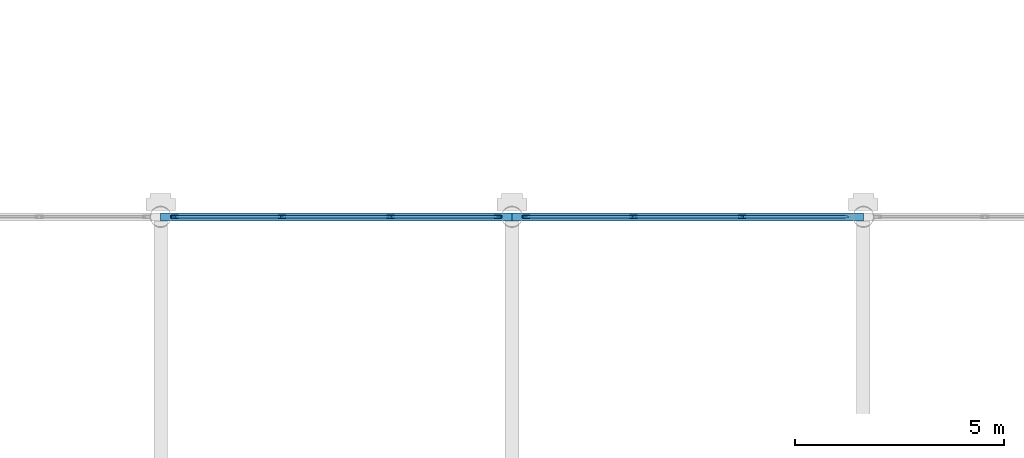
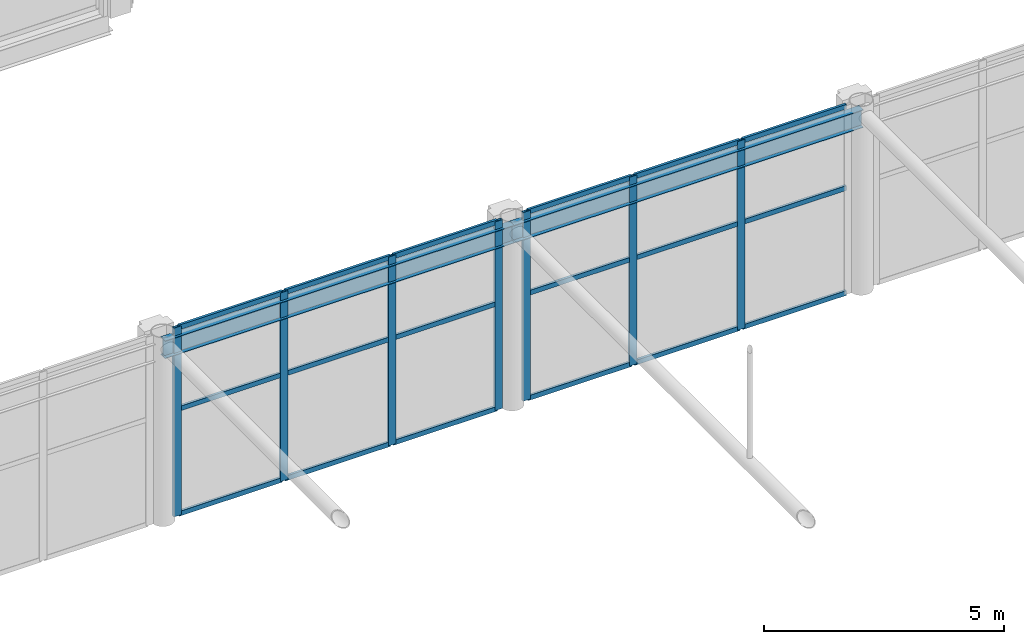
# One storey, part 85 of 167: 25 members, 2 beams, 2 elements without a shape of their own.
"""IFC4 building model written with IfcOpenShell, lengths in metres."""

from ifc_helpers import new_model, si_unit, direction, frame, origin, origin_2d, place, context, subcontext, project, spatial, hollow_rectangle, i_section, extrude, material, material_profile, profile_set, type_object, element, aggregate, save


model = new_model("IFC4")

# Units and contexts
model_context = context("Model", 3, precision=1e-05, world=origin(), true_north=direction((0.0, 1.0)))
body_context = subcontext(model_context, "Body", "Model", "MODEL_VIEW")
ifc_project = project(units=[si_unit("LENGTHUNIT", "METRE"), si_unit("AREAUNIT", "SQUARE_METRE"), si_unit("VOLUMEUNIT", "CUBIC_METRE"), si_unit("PLANEANGLEUNIT", "RADIAN"), si_unit("MASSUNIT", "GRAM", prefix="KILO")], contexts=[model_context])

# Site, building, storey
site_placement = place(None, origin())
site = spatial("IfcSite", under=ifc_project, at=site_placement, CompositionType="ELEMENT")
building_placement = place(site_placement, origin())
building = spatial("IfcBuilding", under=site, at=building_placement, Name="Catenary Quay Ferry Terminal", CompositionType="ELEMENT")
storey_placement = place(building_placement, frame((0.0, 0.0, 6.0)))
storey = spatial("IfcBuildingStorey", under=building, at=storey_placement, Name="L01", CompositionType="ELEMENT", Elevation=6.0)

# Beams
ifc_material_1 = material(Name="Steel S355", Category="steel")
ifc_material_profile_1 = material_profile(ifc_material_1, i_section(OverallWidth=0.18994140625, OverallDepth=0.453369140625, WebThickness=0.008544921875, FlangeThickness=0.0126953125, at=origin_2d()), Name="UB 457x191x67")
ifc_profile_set_1 = profile_set([ifc_material_profile_1], Name="Steel S355")
beam_type = type_object("IfcBeamType", Name="B1 UB 457x191x67", PredefinedType="BEAM", material=ifc_profile_set_1)
beam_1_placement = place(storey_placement, frame((58.800048828125, 142.800048828125, 4.373046875), z_axis=(1.0, 0.0, 0.0), x_axis=(0.0, 1.0, 0.0)))
element("IfcBeam", 1, at=beam_1_placement, inside=storey, type_object=beam_type, Name="Beam B1-029", PredefinedType="BEAM", context=body_context, shape_type="SweptSolid", body=[
    extrude(i_section(OverallWidth=0.18994140625, OverallDepth=0.453369140625, WebThickness=0.008544921875, FlangeThickness=0.0126953125, at=origin_2d()), origin(), (0.0, 0.0, 1.0), 8.39990234375),
])
beam_2_placement = place(storey_placement, frame((67.199951171875, 142.800048828125, 4.373046875), z_axis=(1.0, 0.0, 0.0), x_axis=(0.0, 1.0, 0.0)))
element("IfcBeam", 2, at=beam_2_placement, inside=storey, type_object=beam_type, Name="Beam B1-030", PredefinedType="BEAM", context=body_context, shape_type="SweptSolid", body=[
    extrude(i_section(OverallWidth=0.18994140625, OverallDepth=0.453369140625, WebThickness=0.008544921875, FlangeThickness=0.0126953125, at=origin_2d()), origin(), (0.0, 0.0, 1.0), 8.400146484375),
])

# Curtain wall, members
ifc_material_2 = material(Name="Aluminium and glass", Category="aluminium")
curtain_wall_type = type_object("IfcCurtainWallType", Name="CWH", PredefinedType="NOTDEFINED", material=ifc_material_2)
curtain_wall_1_placement = place(storey_placement, origin())
curtain_wall_1 = element("IfcCurtainWall", 3, at=curtain_wall_1_placement, inside=storey, type_object=curtain_wall_type, Name="Hall curtain wall CW52", PredefinedType="NOTDEFINED")
ifc_material_3 = material(Name="Aluminium", Category="aluminium")
ifc_material_profile_2 = material_profile(ifc_material_3, hollow_rectangle(XDim=0.070068359375, YDim=0.179931640625, WallThickness=0.006103515625, at=origin_2d()), Name="MU3")
ifc_profile_set_2 = profile_set([ifc_material_profile_2], Name="Aluminium")
member_type_1 = type_object("IfcMemberType", Name="MU3", PredefinedType="MULLION", material=ifc_profile_set_2)
member_1_placement = place(storey_placement, frame((59.135009765625, 142.800048828125, 0.0), z_axis=(0.0, 0.0, 1.0), x_axis=(0.0, 1.0, 0.0)))
member_1 = element("IfcMember", 4, at=member_1_placement, type_object=member_type_1, Name="CW52 mullion 1", PredefinedType="MULLION", context=body_context, shape_type="SweptSolid", body=[
    extrude(hollow_rectangle(XDim=0.070068359375, YDim=0.179931640625, WallThickness=0.006103515625, at=origin_2d()), origin(), (0.0, 0.0, 1.0), 4.800048828125),
])
member_2_placement = place(storey_placement, frame((61.699951171875, 142.800048828125, 0.0), z_axis=(0.0, 0.0, 1.0), x_axis=(0.0, 1.0, 0.0)))
member_2 = element("IfcMember", 5, at=member_2_placement, type_object=member_type_1, Name="CW52 mullion 2", PredefinedType="MULLION", context=body_context, shape_type="SweptSolid", body=[
    extrude(hollow_rectangle(XDim=0.070068359375, YDim=0.179931640625, WallThickness=0.006103515625, at=origin_2d()), origin(), (0.0, 0.0, 1.0), 4.800048828125),
])
member_3_placement = place(storey_placement, frame((64.300048828125, 142.800048828125, 0.0), z_axis=(0.0, 0.0, 1.0), x_axis=(0.0, 1.0, 0.0)))
member_3 = element("IfcMember", 6, at=member_3_placement, type_object=member_type_1, Name="CW52 mullion 3", PredefinedType="MULLION", context=body_context, shape_type="SweptSolid", body=[
    extrude(hollow_rectangle(XDim=0.070068359375, YDim=0.179931640625, WallThickness=0.006103515625, at=origin_2d()), origin(), (0.0, 0.0, 1.0), 4.800048828125),
])
member_4_placement = place(storey_placement, frame((66.864990234375, 142.800048828125, 0.0), z_axis=(0.0, 0.0, 1.0), x_axis=(0.0, 1.0, 0.0)))
member_4 = element("IfcMember", 7, at=member_4_placement, type_object=member_type_1, Name="CW52 mullion 4", PredefinedType="MULLION", context=body_context, shape_type="SweptSolid", body=[
    extrude(hollow_rectangle(XDim=0.070068359375, YDim=0.179931640625, WallThickness=0.006103515625, at=origin_2d()), origin(), (0.0, 0.0, 1.0), 4.800048828125),
])

curtain_wall_2_placement = place(storey_placement, origin())
curtain_wall_2 = element("IfcCurtainWall", 8, at=curtain_wall_2_placement, inside=storey, type_object=curtain_wall_type, Name="Hall curtain wall CW53", PredefinedType="NOTDEFINED")
member_5_placement = place(storey_placement, frame((67.534912109375, 142.800048828125, 0.0), z_axis=(0.0, 0.0, 1.0), x_axis=(0.0, 1.0, 0.0)))
member_5 = element("IfcMember", 9, at=member_5_placement, type_object=member_type_1, Name="CW53 mullion 1", PredefinedType="MULLION", context=body_context, shape_type="SweptSolid", body=[
    extrude(hollow_rectangle(XDim=0.070068359375, YDim=0.179931640625, WallThickness=0.006103515625, at=origin_2d()), origin(), (0.0, 0.0, 1.0), 4.800048828125),
])
member_6_placement = place(storey_placement, frame((70.10009765625, 142.800048828125, 0.0), z_axis=(0.0, 0.0, 1.0), x_axis=(0.0, 1.0, 0.0)))
member_6 = element("IfcMember", 10, at=member_6_placement, type_object=member_type_1, Name="CW53 mullion 2", PredefinedType="MULLION", context=body_context, shape_type="SweptSolid", body=[
    extrude(hollow_rectangle(XDim=0.070068359375, YDim=0.179931640625, WallThickness=0.006103515625, at=origin_2d()), origin(), (0.0, 0.0, 1.0), 4.800048828125),
])
member_7_placement = place(storey_placement, frame((72.699951171875, 142.800048828125, 0.0), z_axis=(0.0, 0.0, 1.0), x_axis=(0.0, 1.0, 0.0)))
member_7 = element("IfcMember", 11, at=member_7_placement, type_object=member_type_1, Name="CW53 mullion 3", PredefinedType="MULLION", context=body_context, shape_type="SweptSolid", body=[
    extrude(hollow_rectangle(XDim=0.070068359375, YDim=0.179931640625, WallThickness=0.006103515625, at=origin_2d()), origin(), (0.0, 0.0, 1.0), 4.800048828125),
])

# Member
ifc_material_4 = material(Name="Aluminium", Category="aluminium")
ifc_material_profile_3 = material_profile(ifc_material_4, hollow_rectangle(XDim=0.06005859375, YDim=0.1201171875, WallThickness=0.0048828125, at=origin_2d()), Name="TR3")
ifc_profile_set_3 = profile_set([ifc_material_profile_3], Name="Aluminium")
member_type_2 = type_object("IfcMemberType", Name="TR3", PredefinedType="USERDEFINED", material=ifc_profile_set_3)
member_8_placement = place(storey_placement, frame((59.169921875, 142.800048828125, 0.030029296875), z_axis=(1.0, 0.0, 0.0), x_axis=(0.0, 1.0, 0.0)))
member_8 = element("IfcMember", 12, at=member_8_placement, type_object=member_type_2, Name="CW52 transom 1.1", ObjectType="TRANSOM", PredefinedType="USERDEFINED", context=body_context, shape_type="SweptSolid", body=[
    extrude(hollow_rectangle(XDim=0.06005859375, YDim=0.1201171875, WallThickness=0.0048828125, at=origin_2d()), origin(), (0.0, 0.0, 1.0), 2.4951171875),
])

member_9_placement = place(storey_placement, frame((59.169921875, 142.800048828125, 2.699951171875), z_axis=(1.0, 0.0, 0.0), x_axis=(0.0, 1.0, 0.0)))
member_9 = element("IfcMember", 13, at=member_9_placement, type_object=member_type_2, Name="CW52 transom 1.2", ObjectType="TRANSOM", PredefinedType="USERDEFINED", context=body_context, shape_type="SweptSolid", body=[
    extrude(hollow_rectangle(XDim=0.06005859375, YDim=0.1201171875, WallThickness=0.0048828125, at=origin_2d()), origin(), (0.0, 0.0, 1.0), 2.4951171875),
])

member_10_placement = place(storey_placement, frame((59.169921875, 142.800048828125, 4.77001953125), z_axis=(1.0, 0.0, 0.0), x_axis=(0.0, 1.0, 0.0)))
member_10 = element("IfcMember", 14, at=member_10_placement, type_object=member_type_2, Name="CW52 transom 1.3", ObjectType="TRANSOM", PredefinedType="USERDEFINED", context=body_context, shape_type="SweptSolid", body=[
    extrude(hollow_rectangle(XDim=0.06005859375, YDim=0.1201171875, WallThickness=0.0048828125, at=origin_2d()), origin(), (0.0, 0.0, 1.0), 2.4951171875),
])

member_11_placement = place(storey_placement, frame((61.735107421875, 142.800048828125, 0.030029296875), z_axis=(1.0, 0.0, 0.0), x_axis=(0.0, 1.0, 0.0)))
member_11 = element("IfcMember", 15, at=member_11_placement, type_object=member_type_2, Name="CW52 transom 2.1", ObjectType="TRANSOM", PredefinedType="USERDEFINED", context=body_context, shape_type="SweptSolid", body=[
    extrude(hollow_rectangle(XDim=0.06005859375, YDim=0.1201171875, WallThickness=0.0048828125, at=origin_2d()), origin(), (0.0, 0.0, 1.0), 2.52978515625),
])

member_12_placement = place(storey_placement, frame((61.735107421875, 142.800048828125, 2.699951171875), z_axis=(1.0, 0.0, 0.0), x_axis=(0.0, 1.0, 0.0)))
member_12 = element("IfcMember", 16, at=member_12_placement, type_object=member_type_2, Name="CW52 transom 2.2", ObjectType="TRANSOM", PredefinedType="USERDEFINED", context=body_context, shape_type="SweptSolid", body=[
    extrude(hollow_rectangle(XDim=0.06005859375, YDim=0.1201171875, WallThickness=0.0048828125, at=origin_2d()), origin(), (0.0, 0.0, 1.0), 2.52978515625),
])

member_13_placement = place(storey_placement, frame((61.735107421875, 142.800048828125, 4.77001953125), z_axis=(1.0, 0.0, 0.0), x_axis=(0.0, 1.0, 0.0)))
member_13 = element("IfcMember", 17, at=member_13_placement, type_object=member_type_2, Name="CW52 transom 2.3", ObjectType="TRANSOM", PredefinedType="USERDEFINED", context=body_context, shape_type="SweptSolid", body=[
    extrude(hollow_rectangle(XDim=0.06005859375, YDim=0.1201171875, WallThickness=0.0048828125, at=origin_2d()), origin(), (0.0, 0.0, 1.0), 2.52978515625),
])

member_14_placement = place(storey_placement, frame((64.3349609375, 142.800048828125, 0.030029296875), z_axis=(1.0, 0.0, 0.0), x_axis=(0.0, 1.0, 0.0)))
member_14 = element("IfcMember", 18, at=member_14_placement, type_object=member_type_2, Name="CW52 transom 3.1", ObjectType="TRANSOM", PredefinedType="USERDEFINED", context=body_context, shape_type="SweptSolid", body=[
    extrude(hollow_rectangle(XDim=0.06005859375, YDim=0.1201171875, WallThickness=0.0048828125, at=origin_2d()), origin(), (0.0, 0.0, 1.0), 2.4951171875),
])

member_15_placement = place(storey_placement, frame((64.3349609375, 142.800048828125, 2.699951171875), z_axis=(1.0, 0.0, 0.0), x_axis=(0.0, 1.0, 0.0)))
member_15 = element("IfcMember", 19, at=member_15_placement, type_object=member_type_2, Name="CW52 transom 3.2", ObjectType="TRANSOM", PredefinedType="USERDEFINED", context=body_context, shape_type="SweptSolid", body=[
    extrude(hollow_rectangle(XDim=0.06005859375, YDim=0.1201171875, WallThickness=0.0048828125, at=origin_2d()), origin(), (0.0, 0.0, 1.0), 2.4951171875),
])

member_16_placement = place(storey_placement, frame((64.3349609375, 142.800048828125, 4.77001953125), z_axis=(1.0, 0.0, 0.0), x_axis=(0.0, 1.0, 0.0)))
member_16 = element("IfcMember", 20, at=member_16_placement, type_object=member_type_2, Name="CW52 transom 3.3", ObjectType="TRANSOM", PredefinedType="USERDEFINED", context=body_context, shape_type="SweptSolid", body=[
    extrude(hollow_rectangle(XDim=0.06005859375, YDim=0.1201171875, WallThickness=0.0048828125, at=origin_2d()), origin(), (0.0, 0.0, 1.0), 2.4951171875),
])

aggregate(curtain_wall_1, [member_1, member_2, member_3, member_4, member_8, member_9, member_10, member_11, member_12, member_13, member_14, member_15, member_16])

member_17_placement = place(storey_placement, frame((67.570068359375, 142.800048828125, 0.030029296875), z_axis=(1.0, 0.0, 0.0), x_axis=(0.0, 1.0, 0.0)))
member_17 = element("IfcMember", 21, at=member_17_placement, type_object=member_type_2, Name="CW53 transom 1.1", ObjectType="TRANSOM", PredefinedType="USERDEFINED", context=body_context, shape_type="SweptSolid", body=[
    extrude(hollow_rectangle(XDim=0.06005859375, YDim=0.1201171875, WallThickness=0.0048828125, at=origin_2d()), origin(), (0.0, 0.0, 1.0), 2.494873046875),
])

member_18_placement = place(storey_placement, frame((67.570068359375, 142.800048828125, 2.699951171875), z_axis=(1.0, 0.0, 0.0), x_axis=(0.0, 1.0, 0.0)))
member_18 = element("IfcMember", 22, at=member_18_placement, type_object=member_type_2, Name="CW53 transom 1.2", ObjectType="TRANSOM", PredefinedType="USERDEFINED", context=body_context, shape_type="SweptSolid", body=[
    extrude(hollow_rectangle(XDim=0.06005859375, YDim=0.1201171875, WallThickness=0.0048828125, at=origin_2d()), origin(), (0.0, 0.0, 1.0), 2.494873046875),
])

member_19_placement = place(storey_placement, frame((67.570068359375, 142.800048828125, 4.77001953125), z_axis=(1.0, 0.0, 0.0), x_axis=(0.0, 1.0, 0.0)))
member_19 = element("IfcMember", 23, at=member_19_placement, type_object=member_type_2, Name="CW53 transom 1.3", ObjectType="TRANSOM", PredefinedType="USERDEFINED", context=body_context, shape_type="SweptSolid", body=[
    extrude(hollow_rectangle(XDim=0.06005859375, YDim=0.1201171875, WallThickness=0.0048828125, at=origin_2d()), origin(), (0.0, 0.0, 1.0), 2.494873046875),
])

member_20_placement = place(storey_placement, frame((70.135009765625, 142.800048828125, 0.030029296875), z_axis=(1.0, 0.0, 0.0), x_axis=(0.0, 1.0, 0.0)))
member_20 = element("IfcMember", 24, at=member_20_placement, type_object=member_type_2, Name="CW53 transom 2.1", ObjectType="TRANSOM", PredefinedType="USERDEFINED", context=body_context, shape_type="SweptSolid", body=[
    extrude(hollow_rectangle(XDim=0.06005859375, YDim=0.1201171875, WallThickness=0.0048828125, at=origin_2d()), origin(), (0.0, 0.0, 1.0), 2.530029296875),
])

member_21_placement = place(storey_placement, frame((70.135009765625, 142.800048828125, 2.699951171875), z_axis=(1.0, 0.0, 0.0), x_axis=(0.0, 1.0, 0.0)))
member_21 = element("IfcMember", 25, at=member_21_placement, type_object=member_type_2, Name="CW53 transom 2.2", ObjectType="TRANSOM", PredefinedType="USERDEFINED", context=body_context, shape_type="SweptSolid", body=[
    extrude(hollow_rectangle(XDim=0.06005859375, YDim=0.1201171875, WallThickness=0.0048828125, at=origin_2d()), origin(), (0.0, 0.0, 1.0), 2.530029296875),
])

member_22_placement = place(storey_placement, frame((70.135009765625, 142.800048828125, 4.77001953125), z_axis=(1.0, 0.0, 0.0), x_axis=(0.0, 1.0, 0.0)))
member_22 = element("IfcMember", 26, at=member_22_placement, type_object=member_type_2, Name="CW53 transom 2.3", ObjectType="TRANSOM", PredefinedType="USERDEFINED", context=body_context, shape_type="SweptSolid", body=[
    extrude(hollow_rectangle(XDim=0.06005859375, YDim=0.1201171875, WallThickness=0.0048828125, at=origin_2d()), origin(), (0.0, 0.0, 1.0), 2.530029296875),
])

member_23_placement = place(storey_placement, frame((72.735107421875, 142.800048828125, 0.030029296875), z_axis=(1.0, 0.0, 0.0), x_axis=(0.0, 1.0, 0.0)))
member_23 = element("IfcMember", 27, at=member_23_placement, type_object=member_type_2, Name="CW53 transom 3.1", ObjectType="TRANSOM", PredefinedType="USERDEFINED", context=body_context, shape_type="SweptSolid", body=[
    extrude(hollow_rectangle(XDim=0.06005859375, YDim=0.1201171875, WallThickness=0.0048828125, at=origin_2d()), origin(), (0.0, 0.0, 1.0), 2.494873046875),
])

member_24_placement = place(storey_placement, frame((72.735107421875, 142.800048828125, 2.699951171875), z_axis=(1.0, 0.0, 0.0), x_axis=(0.0, 1.0, 0.0)))
member_24 = element("IfcMember", 28, at=member_24_placement, type_object=member_type_2, Name="CW53 transom 3.2", ObjectType="TRANSOM", PredefinedType="USERDEFINED", context=body_context, shape_type="SweptSolid", body=[
    extrude(hollow_rectangle(XDim=0.06005859375, YDim=0.1201171875, WallThickness=0.0048828125, at=origin_2d()), origin(), (0.0, 0.0, 1.0), 2.494873046875),
])

member_25_placement = place(storey_placement, frame((72.735107421875, 142.800048828125, 4.77001953125), z_axis=(1.0, 0.0, 0.0), x_axis=(0.0, 1.0, 0.0)))
member_25 = element("IfcMember", 29, at=member_25_placement, type_object=member_type_2, Name="CW53 transom 3.3", ObjectType="TRANSOM", PredefinedType="USERDEFINED", context=body_context, shape_type="SweptSolid", body=[
    extrude(hollow_rectangle(XDim=0.06005859375, YDim=0.1201171875, WallThickness=0.0048828125, at=origin_2d()), origin(), (0.0, 0.0, 1.0), 2.494873046875),
])

aggregate(curtain_wall_2, [member_5, member_6, member_7, member_17, member_18, member_19, member_20, member_21, member_22, member_23, member_24, member_25])

save(model, "model.ifc")
